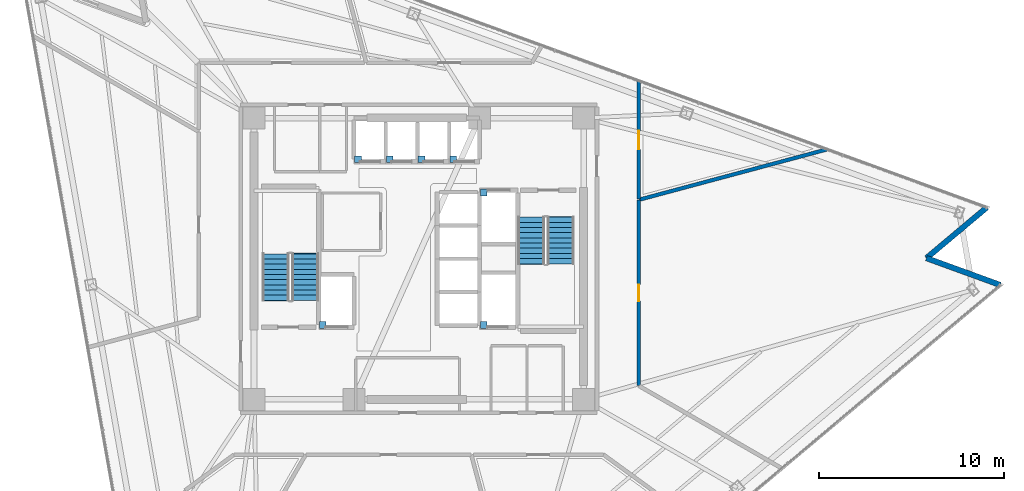
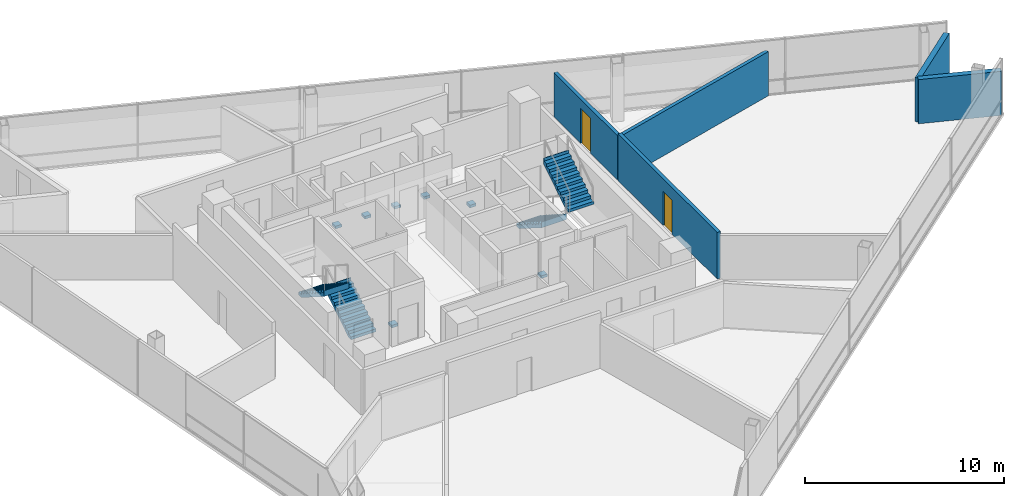
# One storey, part 12 of 15: 7 discrete accessories, 5 walls, 4 stair flights, 2 doors, 2 openings, 2 elements without a shape of their own.
"""IFC4 building model written with IfcOpenShell, lengths in metres."""

from ifc_helpers import new_model, si_unit, direction, frame, frame_2d, origin, origin_2d, place, context, subcontext, project, spatial, polyline, rectangle, outline, extrude, material, layer, layer_set, type_object, element, fill, aggregate, save


model = new_model("IFC4")

# Units and contexts
model_context = context("Model", 3, precision=1e-05, world=origin(), true_north=direction((0.0, 1.0)))
body_context = subcontext(model_context, "Body", "Model", "MODEL_VIEW")
ifc_project = project(units=[si_unit("LENGTHUNIT", "METRE"), si_unit("AREAUNIT", "SQUARE_METRE"), si_unit("VOLUMEUNIT", "CUBIC_METRE"), si_unit("PLANEANGLEUNIT", "RADIAN"), si_unit("MASSUNIT", "GRAM", prefix="KILO")], contexts=[model_context])

# Site, building, storey
site_placement = place(None, origin())
site = spatial("IfcSite", under=ifc_project, at=site_placement, CompositionType="ELEMENT")
building_placement = place(site_placement, origin())
building = spatial("IfcBuilding", under=site, at=building_placement, Name="Tharavind Bronze Gate", CompositionType="ELEMENT")
storey_placement = place(building_placement, frame((0.0, 0.0, 177.699951171875)))
storey = spatial("IfcBuildingStorey", under=building, at=storey_placement, Name="L45", CompositionType="ELEMENT", Elevation=177.699951171875)

# Walls
ifc_material_1 = material(Name="Concrete C40/50", Category="concrete")
ifc_layer_1 = layer(ifc_material_1, 0.300048828125)
ifc_layer_set_1 = layer_set([ifc_layer_1], Name="Concrete C40/50")
wall_type_1 = type_object("IfcWallType", Name="EXTERIOR SPANDREL WALL 300", PredefinedType="STANDARD", material=ifc_layer_set_1)
for number, where, z_axis, x_axis, name in (
    (1, (31.410888671875, -1.418212890625, 0.0), (0.0, 0.0, 1.0), (-0.939672547019, 0.342075290511, 0.0), "L45 notch cheek wall 3A"),
    (2, (27.419189453125, 0.034912109375, 0.0), (0.0, 0.0, 1.0), (0.766054602204, 0.642775502367, 0.0), "L45 notch cheek wall 3B"),
):
    element("IfcWall", number, at=place(storey_placement, frame(where, z_axis=z_axis, x_axis=x_axis)), inside=storey, type_object=wall_type_1, Name=name, PredefinedType="STANDARD", context=body_context, shape_type="SweptSolid", body=[
        extrude(rectangle(XDim=4.248046875, YDim=0.300048828125, at=frame_2d((2.1240234375, 0.0))), origin(), (0.0, 0.0, 1.0), 2.715087890625),
    ])
ifc_material_2 = material(Name="Aerated Concrete Block", Category="concrete")
ifc_layer_2 = layer(ifc_material_2, 0.199951171875)
ifc_layer_set_2 = layer_set([ifc_layer_2], Name="Aerated Concrete Block")
wall_type_2 = type_object("IfcWallType", Name="FIRE RATED PARTITION 200", PredefinedType="PARTITIONING", material=ifc_layer_set_2)
wall_1_placement = place(storey_placement, frame((22.043212890625, 5.906494140625, 0.0), z_axis=(0.0, 0.0, 1.0), x_axis=(-0.965923635631, -0.258827220613, 0.0)))
element("IfcWall", 3, at=wall_1_placement, inside=storey, type_object=wall_type_2, Name="L45 Actuarial Open Office partition", PredefinedType="PARTITIONING", context=body_context, shape_type="SweptSolid", body=[
    extrude(rectangle(XDim=10.489013671875, YDim=0.199951171875, at=frame_2d((5.24462890625, 0.0))), origin(), (0.0, 0.0, 1.0), 2.715087890625),
])

# Wall, opening, door
wall_2_placement = place(storey_placement, frame((11.8798828125, 3.2158203125, 0.0), z_axis=(0.0, 0.0, 1.0), x_axis=(0.0, 1.0, 0.0)))
wall_2 = element("IfcWall", 4, at=wall_2_placement, inside=storey, type_object=wall_type_2, Name="L45 Actuarial Open Office partition", PredefinedType="PARTITIONING", context=body_context, shape_type="SweptSolid", body=[
    extrude(rectangle(XDim=6.389892578125, YDim=0.199951171875, at=frame_2d((3.19482421875, 0.0))), origin(), (0.0, 0.0, 1.0), 2.715087890625),
])
opening_1_placement = place(wall_2_placement, frame((2.695068359375, 0.0, 0.0)))
opening_1 = element("IfcOpeningElement", 5, at=opening_1_placement, cuts=wall_2, Name="Opening ID04", PredefinedType="OPENING", context=body_context, shape_type="SweptSolid", body=[
    extrude(rectangle(XDim=1.0, YDim=2.14990234375, at=frame_2d((0.5, 1.074951171875))), frame((0.0, 0.11009765625, 0.0), z_axis=(0.0, -1.0, 0.0), x_axis=(1.0, 0.0, 0.0)), (0.0, 0.0, 1.0), 0.219951171875),
])
ifc_material_3 = material(Name="Bronze Framed Acoustic Timber", Category="wood")
door_type_1 = type_object("IfcDoorType", Name="OFFICE TENANCY DOOR 1000X2150", OperationType="SINGLE_SWING_RIGHT", PredefinedType="DOOR", material=ifc_material_3)
door_1_placement = place(opening_1_placement, origin())
door_1 = element("IfcDoor", 6, at=door_1_placement, inside=storey, type_object=door_type_1, Name="L45 Actuarial Open Office door", OperationType="SINGLE_SWING_RIGHT", OverallHeight=2.14990234375, OverallWidth=1.0, PredefinedType="DOOR", context=body_context, shape_type="SweptSolid", body=[
    extrude(rectangle(XDim=1.0, YDim=2.14990234375, at=frame_2d((0.5, 1.074951171875))), frame((0.0, 0.02490234375, 0.0), z_axis=(0.0, -1.0, 0.0), x_axis=(1.0, 0.0, 0.0)), (0.0, 0.0, 1.0), 0.050048828125),
])
fill(opening_1, door_1)

wall_3_placement = place(storey_placement, frame((11.8798828125, -6.844482421875, 0.0), z_axis=(0.0, 0.0, 1.0), x_axis=(0.0, 1.0, 0.0)))
wall_3 = element("IfcWall", 7, at=wall_3_placement, inside=storey, type_object=wall_type_2, Name="L45 Tea Pantry partition", PredefinedType="PARTITIONING", context=body_context, shape_type="SweptSolid", body=[
    extrude(rectangle(XDim=10.008544921875, YDim=0.199951171875, at=frame_2d((5.00439453125, 0.0))), origin(), (0.0, 0.0, 1.0), 2.864990234375),
])
opening_2_placement = place(wall_3_placement, frame((4.553955078125, 0.0, 0.0)))
opening_2 = element("IfcOpeningElement", 8, at=opening_2_placement, cuts=wall_3, Name="Opening ID07", PredefinedType="OPENING", context=body_context, shape_type="SweptSolid", body=[
    extrude(rectangle(XDim=0.89990234375, YDim=2.10009765625, at=frame_2d((0.449951171875, 1.050048828125))), frame((0.0, 0.11009765625, 0.0), z_axis=(0.0, -1.0, 0.0), x_axis=(1.0, 0.0, 0.0)), (0.0, 0.0, 1.0), 0.219951171875),
])
ifc_material_4 = material(Name="Galvanised Fire Steel", Category="steel")
door_type_2 = type_object("IfcDoorType", Name="PLANT AND RISER FIRE DOOR 900X2100", OperationType="SINGLE_SWING_LEFT", PredefinedType="DOOR", material=ifc_material_4)
door_2_placement = place(opening_2_placement, origin())
door_2 = element("IfcDoor", 9, at=door_2_placement, inside=storey, type_object=door_type_2, Name="L45 Tea Pantry door", OperationType="SINGLE_SWING_LEFT", OverallHeight=2.10009765625, OverallWidth=0.89990234375, PredefinedType="DOOR", context=body_context, shape_type="SweptSolid", body=[
    extrude(rectangle(XDim=0.89990234375, YDim=2.10009765625, at=frame_2d((0.449951171875, 1.050048828125))), frame((0.0, 0.02490234375, 0.0), z_axis=(0.0, -1.0, 0.0), x_axis=(1.0, 0.0, 0.0)), (0.0, 0.0, 1.0), 0.050048828125),
])
fill(opening_2, door_2)

# Stair, stair flights
stair_type = type_object("IfcStairType", Name="CORE HALF TURN STAIR 1450", PredefinedType="HALF_TURN_STAIR", material=ifc_material_1)
stair_1_placement = place(storey_placement, origin())
stair_1 = element("IfcStair", 10, at=stair_1_placement, inside=storey, type_object=stair_type, Name="L45 Protected Exit Stair ST1", PredefinedType="HALF_TURN_STAIR")
stair_flight_type = type_object("IfcStairFlightType", Name="CORE STAIR FLIGHT 1450", PredefinedType="STRAIGHT", material=ifc_material_1)
stair_flight_1_placement = place(storey_placement, frame((-6.125, -2.25, 0.0), z_axis=(0.0, 0.0, 1.0), x_axis=(0.0, 1.0, 0.0)))
stair_flight_1 = element("IfcStairFlight", 11, at=stair_flight_1_placement, type_object=stair_flight_type, Name="ST1 flight 1", NumberOfRisers=10, NumberOfTreads=9, PredefinedType="STRAIGHT", RiserHeight=0.18, TreadLength=0.28, context=body_context, shape_type="SweptSolid", body=[
    extrude(outline(polyline([(0.0, 0.0), (0.0, 0.179931640625), (0.280029296875, 0.179931640625), (0.280029296875, 0.360107421875), (0.56005859375, 0.360107421875), (0.56005859375, 0.5400390625), (0.840087890625, 0.5400390625), (0.840087890625, 0.719970703125), (1.1201171875, 0.719970703125), (1.1201171875, 0.89990234375), (1.39990234375, 0.89990234375), (1.39990234375, 1.080078125), (1.679931640625, 1.080078125), (1.679931640625, 1.260009765625), (1.9599609375, 1.260009765625), (1.9599609375, 1.43994140625), (2.239990234375, 1.43994140625), (2.239990234375, 1.6201171875), (2.52001953125, 1.6201171875), (2.52001953125, 1.800048828125), (2.555908203125, 1.800048828125), (2.555908203125, 1.44189453125), (0.277099609375, 0.0), (0.0, 0.0)])), frame((0.0, 0.72509765625, 0.0), z_axis=(0.0, -1.0, 0.0), x_axis=(1.0, 0.0, 0.0)), (0.0, 0.0, 1.0), 1.449951171875),
])
stair_flight_2_placement = place(storey_placement, frame((-7.72509765625, 0.27001953125, 1.800048828125), z_axis=(0.0, 0.0, 1.0), x_axis=(0.0, -1.0, 0.0)))
stair_flight_2 = element("IfcStairFlight", 12, at=stair_flight_2_placement, type_object=stair_flight_type, Name="ST1 flight 2", NumberOfRisers=10, NumberOfTreads=9, PredefinedType="STRAIGHT", RiserHeight=0.18, TreadLength=0.28, context=body_context, shape_type="SweptSolid", body=[
    extrude(outline(polyline([(0.0, 0.0), (0.0, 0.179931640625), (0.280029296875, 0.179931640625), (0.280029296875, 0.360107421875), (0.56005859375, 0.360107421875), (0.56005859375, 0.5400390625), (0.840087890625, 0.5400390625), (0.840087890625, 0.719970703125), (1.1201171875, 0.719970703125), (1.1201171875, 0.89990234375), (1.39990234375, 0.89990234375), (1.39990234375, 1.080078125), (1.679931640625, 1.080078125), (1.679931640625, 1.260009765625), (1.9599609375, 1.260009765625), (1.9599609375, 1.43994140625), (2.239990234375, 1.43994140625), (2.239990234375, 1.6201171875), (2.52001953125, 1.6201171875), (2.52001953125, 1.800048828125), (2.555908203125, 1.800048828125), (2.555908203125, 1.44189453125), (0.277099609375, 0.0), (0.0, 0.0)])), frame((0.0, 0.72509765625, 0.0), z_axis=(0.0, -1.0, 0.0), x_axis=(1.0, 0.0, 0.0)), (0.0, 0.0, 1.0), 1.449951171875),
])
aggregate(stair_1, [stair_flight_1, stair_flight_2])

stair_2_placement = place(storey_placement, origin())
stair_2 = element("IfcStair", 13, at=stair_2_placement, inside=storey, type_object=stair_type, Name="L45 Protected Exit Stair ST2", PredefinedType="HALF_TURN_STAIR")
stair_flight_3_placement = place(storey_placement, frame((6.074951171875, 2.25, 0.0), z_axis=(0.0, 0.0, 1.0), x_axis=(0.0, -1.0, 0.0)))
stair_flight_3 = element("IfcStairFlight", 14, at=stair_flight_3_placement, type_object=stair_flight_type, Name="ST2 flight 1", NumberOfRisers=10, NumberOfTreads=9, PredefinedType="STRAIGHT", RiserHeight=0.18, TreadLength=0.28, context=body_context, shape_type="SweptSolid", body=[
    extrude(outline(polyline([(0.0, 0.0), (0.0, 0.179931640625), (0.280029296875, 0.179931640625), (0.280029296875, 0.360107421875), (0.56005859375, 0.360107421875), (0.56005859375, 0.5400390625), (0.840087890625, 0.5400390625), (0.840087890625, 0.719970703125), (1.1201171875, 0.719970703125), (1.1201171875, 0.89990234375), (1.39990234375, 0.89990234375), (1.39990234375, 1.080078125), (1.679931640625, 1.080078125), (1.679931640625, 1.260009765625), (1.9599609375, 1.260009765625), (1.9599609375, 1.43994140625), (2.239990234375, 1.43994140625), (2.239990234375, 1.6201171875), (2.52001953125, 1.6201171875), (2.52001953125, 1.800048828125), (2.555908203125, 1.800048828125), (2.555908203125, 1.44189453125), (0.277099609375, 0.0), (0.0, 0.0)])), frame((0.0, 0.72509765625, 0.0), z_axis=(0.0, -1.0, 0.0), x_axis=(1.0, 0.0, 0.0)), (0.0, 0.0, 1.0), 1.449951171875),
])
stair_flight_4_placement = place(storey_placement, frame((7.675048828125, -0.27001953125, 1.800048828125), z_axis=(0.0, 0.0, 1.0), x_axis=(0.0, 1.0, 0.0)))
stair_flight_4 = element("IfcStairFlight", 15, at=stair_flight_4_placement, type_object=stair_flight_type, Name="ST2 flight 2", NumberOfRisers=10, NumberOfTreads=9, PredefinedType="STRAIGHT", RiserHeight=0.18, TreadLength=0.28, context=body_context, shape_type="SweptSolid", body=[
    extrude(outline(polyline([(0.0, 0.0), (0.0, 0.179931640625), (0.280029296875, 0.179931640625), (0.280029296875, 0.360107421875), (0.56005859375, 0.360107421875), (0.56005859375, 0.5400390625), (0.840087890625, 0.5400390625), (0.840087890625, 0.719970703125), (1.1201171875, 0.719970703125), (1.1201171875, 0.89990234375), (1.39990234375, 0.89990234375), (1.39990234375, 1.080078125), (1.679931640625, 1.080078125), (1.679931640625, 1.260009765625), (1.9599609375, 1.260009765625), (1.9599609375, 1.43994140625), (2.239990234375, 1.43994140625), (2.239990234375, 1.6201171875), (2.52001953125, 1.6201171875), (2.52001953125, 1.800048828125), (2.555908203125, 1.800048828125), (2.555908203125, 1.44189453125), (0.277099609375, 0.0), (0.0, 0.0)])), frame((0.0, 0.72509765625, 0.0), z_axis=(0.0, -1.0, 0.0), x_axis=(1.0, 0.0, 0.0)), (0.0, 0.0, 1.0), 1.449951171875),
])
aggregate(stair_2, [stair_flight_3, stair_flight_4])

# Discrete accessories
ifc_material_5 = material(Name="Galvanised Steel S355", Category="steel")
discrete_accessory_type = type_object("IfcDiscreteAccessoryType", Name="LIFT GUIDE RAIL BRACKET", PredefinedType="BRACKET", material=ifc_material_5)
for number, where, z_axis, x_axis, name in (
    (16, (-3.280029296875, 5.3701171875, 1.1201171875), (0.0, 0.0, 1.0), (1.0, 0.0, 0.0), "Lift PL5 guide rail bracket at L45"),
    (17, (-1.5673828125, 5.3701171875, 1.1201171875), (0.0, 0.0, 1.0), (1.0, 0.0, 0.0), "Lift PL6 guide rail bracket at L45"),
    (18, (0.14501953125, 5.3701171875, 1.1201171875), (0.0, 0.0, 1.0), (1.0, 0.0, 0.0), "Lift PL7 guide rail bracket at L45"),
    (19, (1.857421875, 5.3701171875, 1.1201171875), (0.0, 0.0, 1.0), (1.0, 0.0, 0.0), "Lift PL8 guide rail bracket at L45"),
    (20, (-5.179931640625, -3.580078125, 1.1201171875), (0.0, 0.0, 1.0), (1.0, 0.0, 0.0), "Lift FFL1 guide rail bracket at L45"),
    (21, (3.5, 3.580078125, 1.1201171875), (0.0, 0.0, 1.0), (1.0, 0.0, 0.0), "Lift FFL2 guide rail bracket at L45"),
    (22, (3.5, -3.580078125, 1.1201171875), (0.0, 0.0, 1.0), (1.0, 0.0, 0.0), "Lift SVL1 guide rail bracket at L45"),
):
    element("IfcDiscreteAccessory", number, at=place(storey_placement, frame(where, z_axis=z_axis, x_axis=x_axis)), inside=storey, type_object=discrete_accessory_type, Name=name, PredefinedType="BRACKET", context=body_context, shape_type="SweptSolid", body=[
        extrude(rectangle(XDim=0.360107421875, YDim=0.360107421875, at=origin_2d()), origin(), (0.0, 0.0, 1.0), 0.159912109375),
    ])

save(model, "model.ifc")
